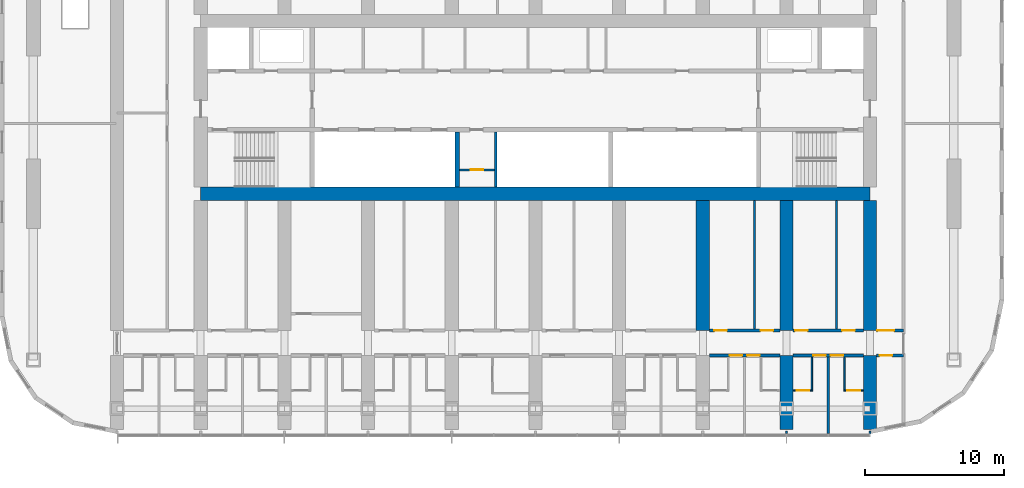
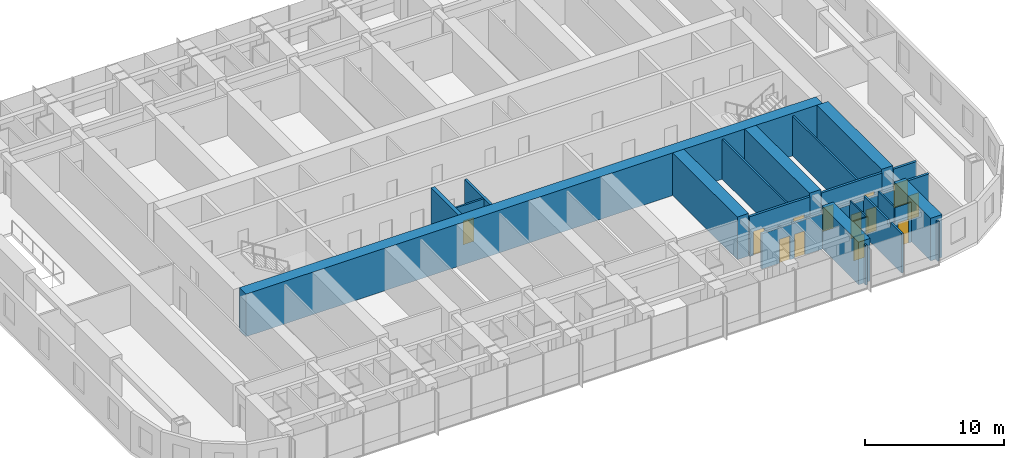
# One storey, part 11 of 21: 24 walls, 13 doors, 13 openings.
"""IFC4 building model written with IfcOpenShell, lengths in metres."""

from ifc_helpers import new_model, si_unit, direction, frame, frame_2d, origin, place, context, subcontext, project, spatial, polyline, rectangle, outline, extrude, material, layer, layer_set, type_object, element, fill, save


model = new_model("IFC4")

# Units and contexts
model_context = context("Model", 3, precision=1e-05, world=origin(), true_north=direction((0.0, 1.0)))
body_context = subcontext(model_context, "Body", "Model", "MODEL_VIEW")
ifc_project = project(units=[si_unit("LENGTHUNIT", "METRE"), si_unit("AREAUNIT", "SQUARE_METRE"), si_unit("VOLUMEUNIT", "CUBIC_METRE"), si_unit("PLANEANGLEUNIT", "RADIAN"), si_unit("MASSUNIT", "GRAM", prefix="KILO")], contexts=[model_context])

# Site, building, storey
site_placement = place(None, origin())
site = spatial("IfcSite", under=ifc_project, at=site_placement, CompositionType="ELEMENT")
building_placement = place(site_placement, origin())
building = spatial("IfcBuilding", under=site, at=building_placement, Name="Orbita Commons", CompositionType="ELEMENT")
storey_placement = place(building_placement, frame((0.0, 0.0, 88.14990234375)))
storey = spatial("IfcBuildingStorey", under=building, at=storey_placement, Name="L21", CompositionType="ELEMENT", Elevation=88.14990234375)

# Wall
ifc_material_1 = material(Name="Concrete C50/60", Category="concrete")
ifc_layer_1 = layer(ifc_material_1, 0.300048828125)
ifc_layer_set_1 = layer_set([ifc_layer_1], Name="Concrete C50/60")
wall_type_1 = type_object("IfcWallType", Name="Core inner wall 300 C50/60", PredefinedType="SHEAR", material=ifc_layer_set_1)
wall_1_placement = place(storey_placement, frame((36.39990234375, 26.27490234375, 0.0), z_axis=(0.0, 0.0, 1.0), x_axis=(0.0, 1.0, 0.0)))
element("IfcWall", 1, at=wall_1_placement, inside=storey, type_object=wall_type_1, Name="Hoistway division wall L21", PredefinedType="SHEAR", context=body_context, shape_type="SweptSolid", body=[
    extrude(rectangle(XDim=3.97509765625, YDim=0.300048828125, at=frame_2d((1.987548828125, 0.0))), origin(), (0.0, 0.0, 1.0), 3.75),
])

# Wall, opening, door
ifc_material_2 = material(Name="Concrete blockwork", Category="masonry")
ifc_layer_2 = layer(ifc_material_2, 0.14990234375)
ifc_layer_set_2 = layer_set([ifc_layer_2], Name="Concrete blockwork")
wall_type_2 = type_object("IfcWallType", Name="Core partition 150 blockwork", PredefinedType="SOLIDWALL", material=ifc_layer_set_2)
wall_2_placement = place(storey_placement, frame((36.550048828125, 27.52490234375, 0.0), z_axis=(0.0, 0.0, 1.0), x_axis=(1.0, 0.0, 0.0)))
wall_2 = element("IfcWall", 2, at=wall_2_placement, inside=storey, type_object=wall_type_2, Name="Core partition 150 blockwork L21", PredefinedType="SOLIDWALL", context=body_context, shape_type="SweptSolid", body=[
    extrude(rectangle(XDim=2.5, YDim=0.14990234375, at=frame_2d((1.25, 0.0))), origin(), (0.0, 0.0, 1.0), 3.5),
])
opening_1_placement = place(wall_2_placement, frame((0.800048828125, 0.0, 0.0)))
opening_1 = element("IfcOpeningElement", 3, at=opening_1_placement, cuts=wall_2, Name="Opening D05", PredefinedType="OPENING", context=body_context, shape_type="SweptSolid", body=[
    extrude(rectangle(XDim=0.89990234375, YDim=2.10009765625, at=frame_2d((0.449951171875, 1.050048828125))), frame((0.0, 0.0849609375, 0.0), z_axis=(0.0, -1.0, 0.0), x_axis=(1.0, 0.0, 0.0)), (0.0, 0.0, 1.0), 0.169921875),
])
ifc_material_3 = material(Name="Steel-faced fire door leaf", Category="steel")
door_type_1 = type_object("IfcDoorType", Name="Service door 20 min 900x2100", OperationType="SINGLE_SWING_LEFT", PredefinedType="DOOR", material=ifc_material_3)
door_1_placement = place(opening_1_placement, origin())
door_1 = element("IfcDoor", 4, at=door_1_placement, inside=storey, type_object=door_type_1, Name="Cupboard door off Linen store", OperationType="SINGLE_SWING_LEFT", OverallHeight=2.10009765625, OverallWidth=0.89990234375, PredefinedType="DOOR", context=body_context, shape_type="SweptSolid", body=[
    extrude(rectangle(XDim=0.89990234375, YDim=2.10009765625, at=frame_2d((0.449951171875, 1.050048828125))), frame((0.0, 0.02490234375, 0.0), z_axis=(0.0, -1.0, 0.0), x_axis=(1.0, 0.0, 0.0)), (0.0, 0.0, 1.0), 0.050048828125),
])
fill(opening_1, door_1)

# Wall
ifc_material_4 = material(Name="Concrete C50/60", Category="concrete")
ifc_layer_3 = layer(ifc_material_4, 0.949951171875)
ifc_layer_set_3 = layer_set([ifc_layer_3], Name="Concrete C50/60")
wall_type_3 = type_object("IfcWallType", Name="Core wall 950 C50/60", PredefinedType="SHEAR", material=ifc_layer_set_3)
wall_3_placement = place(storey_placement, frame((18.0, 25.800048828125, 0.0), z_axis=(0.0, 0.0, 1.0), x_axis=(1.0, 0.0, 0.0)))
element("IfcWall", 5, at=wall_3_placement, inside=storey, type_object=wall_type_3, Name="Core spine wall south L21", PredefinedType="SHEAR", context=body_context, shape_type="SweptSolid", body=[
    extrude(rectangle(XDim=48.0, YDim=0.949951171875, at=frame_2d((24.0, 0.0))), origin(), (0.0, 0.0, 1.0), 3.75),
])

# Wall, openings, doors
ifc_material_5 = material(Name="Concrete blockwork", Category="masonry")
ifc_layer_4 = layer(ifc_material_5, 0.199951171875)
ifc_layer_set_4 = layer_set([ifc_layer_4], Name="Concrete blockwork")
wall_type_4 = type_object("IfcWallType", Name="Corridor wall 200 blockwork", PredefinedType="SOLIDWALL", material=ifc_layer_set_4)
wall_4_placement = place(storey_placement, frame((54.47509765625, 14.199951171875, 0.0), z_axis=(0.0, 0.0, 1.0), x_axis=(1.0, 0.0, 0.0)))
wall_4 = element("IfcWall", 6, at=wall_4_placement, inside=storey, type_object=wall_type_4, Name="Corridor wall 200 blockwork L21", PredefinedType="SOLIDWALL", context=body_context, shape_type="SweptSolid", body=[
    extrude(outline(polyline([(0.0, 0.0), (5.0498046875, 0.0), (5.050048828125, 3.10009765625), (0.0, 3.10009765625), (0.0, 0.0)])), frame((0.0, 0.10009765625, 0.0), z_axis=(0.0, -1.0, 0.0), x_axis=(1.0, 0.0, 0.0)), (0.0, 0.0, 1.0), 0.199951171875),
])
opening_2_placement = place(wall_4_placement, frame((1.449951171875, 0.0, 0.0)))
opening_2 = element("IfcOpeningElement", 7, at=opening_2_placement, cuts=wall_4, Name="Opening D11", PredefinedType="OPENING", context=body_context, shape_type="SweptSolid", body=[
    extrude(rectangle(XDim=0.89990234375, YDim=2.10009765625, at=frame_2d((0.449951171875, 1.050048828125))), frame((0.0, 0.10986328125, 0.0), z_axis=(0.0, -1.0, 0.0), x_axis=(1.0, 0.0, 0.0)), (0.0, 0.0, 1.0), 0.219970703125),
])
opening_3_placement = place(wall_4_placement, frame((2.699951171875, 0.0, 0.0)))
opening_3 = element("IfcOpeningElement", 8, at=opening_3_placement, cuts=wall_4, Name="Opening D11", PredefinedType="OPENING", context=body_context, shape_type="SweptSolid", body=[
    extrude(rectangle(XDim=0.89990234375, YDim=2.10009765625, at=frame_2d((0.449951171875, 1.050048828125))), frame((0.0, 0.10986328125, 0.0), z_axis=(0.0, -1.0, 0.0), x_axis=(1.0, 0.0, 0.0)), (0.0, 0.0, 1.0), 0.219970703125),
])
ifc_material_6 = material(Name="Steel-faced fire door leaf", Category="steel")
door_type_2 = type_object("IfcDoorType", Name="Corridor door 20 min 900x2100", OperationType="SINGLE_SWING_LEFT", PredefinedType="DOOR", material=ifc_material_6)
door_2_placement = place(opening_2_placement, origin())
door_2 = element("IfcDoor", 9, at=door_2_placement, inside=storey, type_object=door_type_2, Name="Cluster bedroom L21-S14 door", OperationType="SINGLE_SWING_LEFT", OverallHeight=2.10009765625, OverallWidth=0.89990234375, PredefinedType="DOOR", context=body_context, shape_type="SweptSolid", body=[
    extrude(rectangle(XDim=0.89990234375, YDim=2.10009765625, at=frame_2d((0.449951171875, 1.050048828125))), frame((0.0, 0.02490234375, 0.0), z_axis=(0.0, -1.0, 0.0), x_axis=(1.0, 0.0, 0.0)), (0.0, 0.0, 1.0), 0.050048828125),
])
fill(opening_2, door_2)
door_3_placement = place(opening_3_placement, origin())
door_3 = element("IfcDoor", 10, at=door_3_placement, inside=storey, type_object=door_type_2, Name="Cluster bedroom L21-S15 door", OperationType="SINGLE_SWING_LEFT", OverallHeight=2.10009765625, OverallWidth=0.89990234375, PredefinedType="DOOR", context=body_context, shape_type="SweptSolid", body=[
    extrude(rectangle(XDim=0.89990234375, YDim=2.10009765625, at=frame_2d((0.449951171875, 1.050048828125))), frame((0.0, 0.02490234375, 0.0), z_axis=(0.0, -1.0, 0.0), x_axis=(1.0, 0.0, 0.0)), (0.0, 0.0, 1.0), 0.050048828125),
])
fill(opening_3, door_3)

wall_5_placement = place(storey_placement, frame((60.47509765625, 14.199951171875, 0.0), z_axis=(0.0, 0.0, 1.0), x_axis=(1.0, 0.0, 0.0)))
wall_5 = element("IfcWall", 11, at=wall_5_placement, inside=storey, type_object=wall_type_4, Name="Corridor wall 200 blockwork L21", PredefinedType="SOLIDWALL", context=body_context, shape_type="SweptSolid", body=[
    extrude(outline(polyline([(0.0, 0.0), (5.0498046875, 0.0), (5.050048828125, 3.10009765625), (0.0, 3.10009765625), (0.0, 0.0)])), frame((0.0, 0.10009765625, 0.0), z_axis=(0.0, -1.0, 0.0), x_axis=(1.0, 0.0, 0.0)), (0.0, 0.0, 1.0), 0.199951171875),
])
opening_4_placement = place(wall_5_placement, frame((1.449951171875, 0.0, 0.0)))
opening_4 = element("IfcOpeningElement", 12, at=opening_4_placement, cuts=wall_5, Name="Opening D11", PredefinedType="OPENING", context=body_context, shape_type="SweptSolid", body=[
    extrude(rectangle(XDim=0.89990234375, YDim=2.10009765625, at=frame_2d((0.449951171875, 1.050048828125))), frame((0.0, 0.10986328125, 0.0), z_axis=(0.0, -1.0, 0.0), x_axis=(1.0, 0.0, 0.0)), (0.0, 0.0, 1.0), 0.219970703125),
])
opening_5_placement = place(wall_5_placement, frame((2.699951171875, 0.0, 0.0)))
opening_5 = element("IfcOpeningElement", 13, at=opening_5_placement, cuts=wall_5, Name="Opening D11", PredefinedType="OPENING", context=body_context, shape_type="SweptSolid", body=[
    extrude(rectangle(XDim=0.89990234375, YDim=2.10009765625, at=frame_2d((0.449951171875, 1.050048828125))), frame((0.0, 0.10986328125, 0.0), z_axis=(0.0, -1.0, 0.0), x_axis=(1.0, 0.0, 0.0)), (0.0, 0.0, 1.0), 0.219970703125),
])
door_4_placement = place(opening_4_placement, origin())
door_4 = element("IfcDoor", 14, at=door_4_placement, inside=storey, type_object=door_type_2, Name="Cluster bedroom L21-S16 door", OperationType="SINGLE_SWING_LEFT", OverallHeight=2.10009765625, OverallWidth=0.89990234375, PredefinedType="DOOR", context=body_context, shape_type="SweptSolid", body=[
    extrude(rectangle(XDim=0.89990234375, YDim=2.10009765625, at=frame_2d((0.449951171875, 1.050048828125))), frame((0.0, 0.02490234375, 0.0), z_axis=(0.0, -1.0, 0.0), x_axis=(1.0, 0.0, 0.0)), (0.0, 0.0, 1.0), 0.050048828125),
])
fill(opening_4, door_4)
door_5_placement = place(opening_5_placement, origin())
door_5 = element("IfcDoor", 15, at=door_5_placement, inside=storey, type_object=door_type_2, Name="Cluster bedroom L21-S17 door", OperationType="SINGLE_SWING_LEFT", OverallHeight=2.10009765625, OverallWidth=0.89990234375, PredefinedType="DOOR", context=body_context, shape_type="SweptSolid", body=[
    extrude(rectangle(XDim=0.89990234375, YDim=2.10009765625, at=frame_2d((0.449951171875, 1.050048828125))), frame((0.0, 0.02490234375, 0.0), z_axis=(0.0, -1.0, 0.0), x_axis=(1.0, 0.0, 0.0)), (0.0, 0.0, 1.0), 0.050048828125),
])
fill(opening_5, door_5)

# Wall, opening, door
wall_6_placement = place(storey_placement, frame((66.47509765625, 14.199951171875, 0.0), z_axis=(0.0, 0.0, 1.0), x_axis=(1.0, 0.0, 0.0)))
wall_6 = element("IfcWall", 16, at=wall_6_placement, inside=storey, type_object=wall_type_4, Name="Corridor wall 200 blockwork L21", PredefinedType="SOLIDWALL", context=body_context, shape_type="SweptSolid", body=[
    extrude(rectangle(XDim=1.9248046875, YDim=0.199951171875, at=frame_2d((0.96240234375, 0.0))), origin(), (0.0, 0.0, 1.0), 3.5),
])
opening_6_placement = place(wall_6_placement, frame((0.199951171875, 0.0, 0.0)))
opening_6 = element("IfcOpeningElement", 17, at=opening_6_placement, cuts=wall_6, Name="Opening D05", PredefinedType="OPENING", context=body_context, shape_type="SweptSolid", body=[
    extrude(rectangle(XDim=0.89990234375, YDim=2.10009765625, at=frame_2d((0.449951171875, 1.050048828125))), frame((0.0, 0.10986328125, 0.0), z_axis=(0.0, -1.0, 0.0), x_axis=(1.0, 0.0, 0.0)), (0.0, 0.0, 1.0), 0.219970703125),
])
door_6_placement = place(opening_6_placement, origin())
door_6 = element("IfcDoor", 18, at=door_6_placement, inside=storey, type_object=door_type_1, Name="Linen store L21-KES door", OperationType="SINGLE_SWING_LEFT", OverallHeight=2.10009765625, OverallWidth=0.89990234375, PredefinedType="DOOR", context=body_context, shape_type="SweptSolid", body=[
    extrude(rectangle(XDim=0.89990234375, YDim=2.10009765625, at=frame_2d((0.449951171875, 1.050048828125))), frame((0.0, 0.02490234375, 0.0), z_axis=(0.0, -1.0, 0.0), x_axis=(1.0, 0.0, 0.0)), (0.0, 0.0, 1.0), 0.050048828125),
])
fill(opening_6, door_6)

# Wall, openings, doors
ifc_material_7 = material(Name="Hollow concrete block 200", Category="concrete")
ifc_layer_5 = layer(ifc_material_7, 0.199951171875)
ifc_layer_set_5 = layer_set([ifc_layer_5], Name="Hollow concrete block 200")
wall_type_5 = type_object("IfcWallType", Name="Corridor wall 200 hollow concrete block", PredefinedType="SOLIDWALL", material=ifc_layer_set_5)
wall_7_placement = place(storey_placement, frame((54.47509765625, 16.0, 0.0), z_axis=(0.0, 0.0, 1.0), x_axis=(1.0, 0.0, 0.0)))
wall_7 = element("IfcWall", 19, at=wall_7_placement, inside=storey, type_object=wall_type_5, Name="Corridor wall 200 hollow concrete block L21", PredefinedType="SOLIDWALL", context=body_context, shape_type="SweptSolid", body=[
    extrude(rectangle(XDim=5.0498046875, YDim=0.199951171875, at=frame_2d((2.52490234375, 0.0))), origin(), (0.0, 0.0, 1.0), 3.5),
])
opening_7_placement = place(wall_7_placement, frame((0.35009765625, 0.0, 0.0)))
opening_7 = element("IfcOpeningElement", 20, at=opening_7_placement, cuts=wall_7, Name="Opening D11", PredefinedType="OPENING", context=body_context, shape_type="SweptSolid", body=[
    extrude(rectangle(XDim=0.89990234375, YDim=2.10009765625, at=frame_2d((0.449951171875, 1.050048828125))), frame((0.0, 0.10986328125, 0.0), z_axis=(0.0, -1.0, 0.0), x_axis=(1.0, 0.0, 0.0)), (0.0, 0.0, 1.0), 0.219970703125),
])
opening_8_placement = place(wall_7_placement, frame((3.6650390625, 0.0, 0.0)))
opening_8 = element("IfcOpeningElement", 21, at=opening_8_placement, cuts=wall_7, Name="Opening D11", PredefinedType="OPENING", context=body_context, shape_type="SweptSolid", body=[
    extrude(rectangle(XDim=0.89990234375, YDim=2.10009765625, at=frame_2d((0.449951171875, 1.050048828125))), frame((0.0, 0.10986328125, 0.0), z_axis=(0.0, -1.0, 0.0), x_axis=(1.0, 0.0, 0.0)), (0.0, 0.0, 1.0), 0.219970703125),
])
door_7_placement = place(opening_7_placement, origin())
door_7 = element("IfcDoor", 22, at=door_7_placement, inside=storey, type_object=door_type_2, Name="Drying room L21-BDS54 door", OperationType="SINGLE_SWING_LEFT", OverallHeight=2.10009765625, OverallWidth=0.89990234375, PredefinedType="DOOR", context=body_context, shape_type="SweptSolid", body=[
    extrude(rectangle(XDim=0.89990234375, YDim=2.10009765625, at=frame_2d((0.449951171875, 1.050048828125))), frame((0.0, 0.02490234375, 0.0), z_axis=(0.0, -1.0, 0.0), x_axis=(1.0, 0.0, 0.0)), (0.0, 0.0, 1.0), 0.050048828125),
])
fill(opening_7, door_7)
door_8_placement = place(opening_8_placement, origin())
door_8 = element("IfcDoor", 23, at=door_8_placement, inside=storey, type_object=door_type_2, Name="Water heater cupboard L21-BDS54n door", OperationType="SINGLE_SWING_LEFT", OverallHeight=2.10009765625, OverallWidth=0.89990234375, PredefinedType="DOOR", context=body_context, shape_type="SweptSolid", body=[
    extrude(rectangle(XDim=0.89990234375, YDim=2.10009765625, at=frame_2d((0.449951171875, 1.050048828125))), frame((0.0, 0.02490234375, 0.0), z_axis=(0.0, -1.0, 0.0), x_axis=(1.0, 0.0, 0.0)), (0.0, 0.0, 1.0), 0.050048828125),
])
fill(opening_8, door_8)

wall_8_placement = place(storey_placement, frame((60.47509765625, 16.0, 0.0), z_axis=(0.0, 0.0, 1.0), x_axis=(1.0, 0.0, 0.0)))
wall_8 = element("IfcWall", 24, at=wall_8_placement, inside=storey, type_object=wall_type_5, Name="Corridor wall 200 hollow concrete block L21", PredefinedType="SOLIDWALL", context=body_context, shape_type="SweptSolid", body=[
    extrude(rectangle(XDim=5.0498046875, YDim=0.199951171875, at=frame_2d((2.52490234375, 0.0))), origin(), (0.0, 0.0, 1.0), 3.5),
])
opening_9_placement = place(wall_8_placement, frame((0.14990234375, 0.0, 0.0)))
opening_9 = element("IfcOpeningElement", 25, at=opening_9_placement, cuts=wall_8, Name="Opening D11", PredefinedType="OPENING", context=body_context, shape_type="SweptSolid", body=[
    extrude(rectangle(XDim=0.89990234375, YDim=2.10009765625, at=frame_2d((0.449951171875, 1.050048828125))), frame((0.0, 0.10986328125, 0.0), z_axis=(0.0, -1.0, 0.0), x_axis=(1.0, 0.0, 0.0)), (0.0, 0.0, 1.0), 0.219970703125),
])
opening_10_placement = place(wall_8_placement, frame((3.52490234375, 0.0, 0.0)))
opening_10 = element("IfcOpeningElement", 26, at=opening_10_placement, cuts=wall_8, Name="Opening D11", PredefinedType="OPENING", context=body_context, shape_type="SweptSolid", body=[
    extrude(rectangle(XDim=0.89990234375, YDim=2.10009765625, at=frame_2d((0.449951171875, 1.050048828125))), frame((0.0, 0.10986328125, 0.0), z_axis=(0.0, -1.0, 0.0), x_axis=(1.0, 0.0, 0.0)), (0.0, 0.0, 1.0), 0.219970703125),
])
door_9_placement = place(opening_9_placement, origin())
door_9 = element("IfcDoor", 27, at=door_9_placement, inside=storey, type_object=door_type_2, Name="IT and print room L21-BDS60 door", OperationType="SINGLE_SWING_LEFT", OverallHeight=2.10009765625, OverallWidth=0.89990234375, PredefinedType="DOOR", context=body_context, shape_type="SweptSolid", body=[
    extrude(rectangle(XDim=0.89990234375, YDim=2.10009765625, at=frame_2d((0.449951171875, 1.050048828125))), frame((0.0, 0.02490234375, 0.0), z_axis=(0.0, -1.0, 0.0), x_axis=(1.0, 0.0, 0.0)), (0.0, 0.0, 1.0), 0.050048828125),
])
fill(opening_9, door_9)
door_10_placement = place(opening_10_placement, origin())
door_10 = element("IfcDoor", 28, at=door_10_placement, inside=storey, type_object=door_type_2, Name="Equipment store L21-BDS60n door", OperationType="SINGLE_SWING_LEFT", OverallHeight=2.10009765625, OverallWidth=0.89990234375, PredefinedType="DOOR", context=body_context, shape_type="SweptSolid", body=[
    extrude(rectangle(XDim=0.89990234375, YDim=2.10009765625, at=frame_2d((0.449951171875, 1.050048828125))), frame((0.0, 0.02490234375, 0.0), z_axis=(0.0, -1.0, 0.0), x_axis=(1.0, 0.0, 0.0)), (0.0, 0.0, 1.0), 0.050048828125),
])
fill(opening_10, door_10)

# Wall, opening, door
wall_9_placement = place(storey_placement, frame((66.47509765625, 16.0, 0.0), z_axis=(0.0, 0.0, 1.0), x_axis=(1.0, 0.0, 0.0)))
wall_9 = element("IfcWall", 29, at=wall_9_placement, inside=storey, type_object=wall_type_5, Name="Corridor wall 200 hollow concrete block L21", PredefinedType="SOLIDWALL", context=body_context, shape_type="SweptSolid", body=[
    extrude(rectangle(XDim=1.9248046875, YDim=0.199951171875, at=frame_2d((0.96240234375, 0.0))), origin(), (0.0, 0.0, 1.0), 3.5),
])
opening_11_placement = place(wall_9_placement, frame((0.050048828125, 0.0, 0.0)))
opening_11 = element("IfcOpeningElement", 30, at=opening_11_placement, cuts=wall_9, Name="Opening D12", PredefinedType="OPENING", context=body_context, shape_type="SweptSolid", body=[
    extrude(rectangle(XDim=1.199951171875, YDim=2.10009765625, at=frame_2d((0.60009765625, 1.050048828125))), frame((0.0, 0.10986328125, 0.0), z_axis=(0.0, -1.0, 0.0), x_axis=(1.0, 0.0, 0.0)), (0.0, 0.0, 1.0), 0.219970703125),
])
ifc_material_8 = material(Name="Steel-faced fire door leaf", Category="steel")
door_type_3 = type_object("IfcDoorType", Name="Double corridor door 20 min 1200x2100", OperationType="DOUBLE_DOOR_SINGLE_SWING", PredefinedType="DOOR", material=ifc_material_8)
door_11_placement = place(opening_11_placement, origin())
door_11 = element("IfcDoor", 31, at=door_11_placement, inside=storey, type_object=door_type_3, Name="Cross corridor doors", OperationType="DOUBLE_DOOR_SINGLE_SWING", OverallHeight=2.10009765625, OverallWidth=1.199951171875, PredefinedType="DOOR", context=body_context, shape_type="SweptSolid", body=[
    extrude(rectangle(XDim=1.199951171875, YDim=2.10009765625, at=frame_2d((0.60009765625, 1.050048828125))), frame((0.0, 0.02490234375, 0.0), z_axis=(0.0, -1.0, 0.0), x_axis=(1.0, 0.0, 0.0)), (0.0, 0.0, 1.0), 0.050048828125),
])
fill(opening_11, door_11)

# Walls
ifc_material_9 = material(Name="Concrete C50/60", Category="concrete")
ifc_layer_6 = layer(ifc_material_9, 0.949951171875)
ifc_layer_set_6 = layer_set([ifc_layer_6], Name="Concrete C50/60")
wall_type_6 = type_object("IfcWallType", Name="Cross wall 950 C50/60", PredefinedType="SHEAR", material=ifc_layer_set_6)
wall_10_placement = place(storey_placement, frame((54.0, 16.0, 0.0), z_axis=(0.0, 0.0, 1.0), x_axis=(0.0, 1.0, 0.0)))
element("IfcWall", 32, at=wall_10_placement, inside=storey, type_object=wall_type_6, Name="Cross wall 10 south inner L21", PredefinedType="SHEAR", context=body_context, shape_type="SweptSolid", body=[
    extrude(rectangle(XDim=9.324951171875, YDim=0.949951171875, at=frame_2d((4.66259765625, 0.0))), origin(), (0.0, 0.0, 1.0), 3.75),
])
wall_11_placement = place(storey_placement, frame((60.0, 8.89990234375, 0.0), z_axis=(0.0, 0.0, 1.0), x_axis=(0.0, 1.0, 0.0)))
element("IfcWall", 33, at=wall_11_placement, inside=storey, type_object=wall_type_6, Name="Cross wall 11 south outer L21", PredefinedType="SHEAR", context=body_context, shape_type="SweptSolid", body=[
    extrude(rectangle(XDim=5.300048828125, YDim=0.949951171875, at=frame_2d((2.64990234375, 0.0))), origin(), (0.0, 0.0, 1.0), 3.75),
])
wall_12_placement = place(storey_placement, frame((60.0, 16.0, 0.0), z_axis=(0.0, 0.0, 1.0), x_axis=(0.0, 1.0, 0.0)))
element("IfcWall", 34, at=wall_12_placement, inside=storey, type_object=wall_type_6, Name="Cross wall 11 south inner L21", PredefinedType="SHEAR", context=body_context, shape_type="SweptSolid", body=[
    extrude(rectangle(XDim=9.324951171875, YDim=0.949951171875, at=frame_2d((4.66259765625, 0.0))), origin(), (0.0, 0.0, 1.0), 3.75),
])
wall_13_placement = place(storey_placement, frame((66.0, 8.89990234375, 0.0), z_axis=(0.0, 0.0, 1.0), x_axis=(0.0, 1.0, 0.0)))
element("IfcWall", 35, at=wall_13_placement, inside=storey, type_object=wall_type_6, Name="Cross wall 12 south outer L21", PredefinedType="SHEAR", context=body_context, shape_type="SweptSolid", body=[
    extrude(rectangle(XDim=5.300048828125, YDim=0.949951171875, at=frame_2d((2.64990234375, 0.0))), origin(), (0.0, 0.0, 1.0), 3.75),
])
wall_14_placement = place(storey_placement, frame((66.0, 16.0, 0.0), z_axis=(0.0, 0.0, 1.0), x_axis=(0.0, 1.0, 0.0)))
element("IfcWall", 36, at=wall_14_placement, inside=storey, type_object=wall_type_6, Name="Cross wall 12 south inner L21", PredefinedType="SHEAR", context=body_context, shape_type="SweptSolid", body=[
    extrude(rectangle(XDim=9.324951171875, YDim=0.949951171875, at=frame_2d((4.66259765625, 0.0))), origin(), (0.0, 0.0, 1.0), 3.75),
])

# Wall, opening, door
ifc_material_10 = material(Name="Moisture-resistant plasterboard on steel studs", Category="steel")
ifc_layer_7 = layer(ifc_material_10, 0.10009765625)
ifc_layer_set_7 = layer_set([ifc_layer_7], Name="Moisture-resistant plasterboard on steel studs")
wall_type_7 = type_object("IfcWallType", Name="En-suite partition 100", PredefinedType="PARTITIONING", material=ifc_layer_set_7)
wall_15_placement = place(storey_placement, frame((61.875, 11.699951171875, 0.0), z_axis=(0.0, 0.0, 1.0), x_axis=(-1.0, 0.0, 0.0)))
wall_15 = element("IfcWall", 37, at=wall_15_placement, inside=storey, type_object=wall_type_7, Name="En-suite partition 100 L21", PredefinedType="PARTITIONING", context=body_context, shape_type="SweptSolid", body=[
    extrude(rectangle(XDim=1.39990234375, YDim=0.10009765625, at=frame_2d((0.699951171875, 0.0))), origin(), (0.0, 0.0, 1.0), 3.5),
])
opening_12_placement = place(wall_15_placement, frame((0.25, 0.0, 0.0)))
opening_12 = element("IfcOpeningElement", 38, at=opening_12_placement, cuts=wall_15, Name="Opening D09", PredefinedType="OPENING", context=body_context, shape_type="SweptSolid", body=[
    extrude(rectangle(XDim=0.89990234375, YDim=2.10009765625, at=frame_2d((0.449951171875, 1.050048828125))), frame((0.0, 0.06005859375, 0.0), z_axis=(0.0, -1.0, 0.0), x_axis=(1.0, 0.0, 0.0)), (0.0, 0.0, 1.0), 0.1201171875),
])
ifc_material_11 = material(Name="Laminated timber door leaf", Category="wood")
door_type_4 = type_object("IfcDoorType", Name="En-suite door 900x2100", OperationType="SINGLE_SWING_RIGHT", PredefinedType="DOOR", material=ifc_material_11)
door_12_placement = place(opening_12_placement, origin())
door_12 = element("IfcDoor", 39, at=door_12_placement, inside=storey, type_object=door_type_4, Name="En-suite L21-S16 door", OperationType="SINGLE_SWING_RIGHT", OverallHeight=2.10009765625, OverallWidth=0.89990234375, PredefinedType="DOOR", context=body_context, shape_type="SweptSolid", body=[
    extrude(rectangle(XDim=0.89990234375, YDim=2.10009765625, at=frame_2d((0.449951171875, 1.050048828125))), frame((0.0, 0.02490234375, 0.0), z_axis=(0.0, -1.0, 0.0), x_axis=(1.0, 0.0, 0.0)), (0.0, 0.0, 1.0), 0.050048828125),
])
fill(opening_12, door_12)

# Wall
wall_16_placement = place(storey_placement, frame((61.824951171875, 11.75, 0.0), z_axis=(0.0, 0.0, 1.0), x_axis=(0.0, 1.0, 0.0)))
element("IfcWall", 40, at=wall_16_placement, inside=storey, type_object=wall_type_7, Name="En-suite partition 100 L21", PredefinedType="PARTITIONING", context=body_context, shape_type="SweptSolid", body=[
    extrude(outline(polyline([(0.0, 0.0), (2.35009765625, 0.0), (2.35009765625, 3.10009765625), (2.302001953125, 3.10009765625), (2.300048828125, 3.5), (0.0, 3.5), (0.0, 0.0)])), frame((0.0, 0.050048828125, 0.0), z_axis=(0.0, -1.0, 0.0), x_axis=(1.0, 0.0, 0.0)), (0.0, 0.0, 1.0), 0.10009765625),
])

# Wall, opening, door
wall_17_placement = place(storey_placement, frame((65.52490234375, 11.699951171875, 0.0), z_axis=(0.0, 0.0, 1.0), x_axis=(-1.0, 0.0, 0.0)))
wall_17 = element("IfcWall", 41, at=wall_17_placement, inside=storey, type_object=wall_type_7, Name="En-suite partition 100 L21", PredefinedType="PARTITIONING", context=body_context, shape_type="SweptSolid", body=[
    extrude(rectangle(XDim=1.39990234375, YDim=0.10009765625, at=frame_2d((0.699951171875, 0.0))), origin(), (0.0, 0.0, 1.0), 3.5),
])
opening_13_placement = place(wall_17_placement, frame((0.25, 0.0, 0.0)))
opening_13 = element("IfcOpeningElement", 42, at=opening_13_placement, cuts=wall_17, Name="Opening D09", PredefinedType="OPENING", context=body_context, shape_type="SweptSolid", body=[
    extrude(rectangle(XDim=0.89990234375, YDim=2.10009765625, at=frame_2d((0.449951171875, 1.050048828125))), frame((0.0, 0.06005859375, 0.0), z_axis=(0.0, -1.0, 0.0), x_axis=(1.0, 0.0, 0.0)), (0.0, 0.0, 1.0), 0.1201171875),
])
door_13_placement = place(opening_13_placement, origin())
door_13 = element("IfcDoor", 43, at=door_13_placement, inside=storey, type_object=door_type_4, Name="En-suite L21-S17 door", OperationType="SINGLE_SWING_RIGHT", OverallHeight=2.10009765625, OverallWidth=0.89990234375, PredefinedType="DOOR", context=body_context, shape_type="SweptSolid", body=[
    extrude(rectangle(XDim=0.89990234375, YDim=2.10009765625, at=frame_2d((0.449951171875, 1.050048828125))), frame((0.0, 0.02490234375, 0.0), z_axis=(0.0, -1.0, 0.0), x_axis=(1.0, 0.0, 0.0)), (0.0, 0.0, 1.0), 0.050048828125),
])
fill(opening_13, door_13)

# Walls
wall_18_placement = place(storey_placement, frame((64.175048828125, 11.75, 0.0), z_axis=(0.0, 0.0, 1.0), x_axis=(0.0, 1.0, 0.0)))
element("IfcWall", 44, at=wall_18_placement, inside=storey, type_object=wall_type_7, Name="En-suite partition 100 L21", PredefinedType="PARTITIONING", context=body_context, shape_type="SweptSolid", body=[
    extrude(outline(polyline([(0.0, 0.0), (2.35009765625, 0.0), (2.35009765625, 3.10009765625), (2.302001953125, 3.10009765625), (2.300048828125, 3.5), (0.0, 3.5), (0.0, 0.0)])), frame((0.0, 0.050048828125, 0.0), z_axis=(0.0, -1.0, 0.0), x_axis=(1.0, 0.0, 0.0)), (0.0, 0.0, 1.0), 0.10009765625),
])
ifc_material_12 = material(Name="Gypsum plasterboard on steel studs", Category="steel")
ifc_layer_8 = layer(ifc_material_12, 0.14990234375)
ifc_layer_set_8 = layer_set([ifc_layer_8], Name="Gypsum plasterboard on steel studs")
wall_type_8 = type_object("IfcWallType", Name="Partition 150 plasterboard", PredefinedType="PARTITIONING", material=ifc_layer_set_8)
for number, where, z_axis, x_axis, name in (
    (45, (57.715087890625, 16.10009765625, 0.0), (0.0, 0.0, 1.0), (0.0, 1.0, 0.0), "Partition 150 plasterboard L21"),
    (46, (63.574951171875, 16.10009765625, 0.0), (0.0, 0.0, 1.0), (0.0, 1.0, 0.0), "Partition 150 plasterboard L21"),
):
    element("IfcWall", number, at=place(storey_placement, frame(where, z_axis=z_axis, x_axis=x_axis)), inside=storey, type_object=wall_type_8, Name=name, PredefinedType="PARTITIONING", context=body_context, shape_type="SweptSolid", body=[
        extrude(rectangle(XDim=9.224853515625, YDim=0.14990234375, at=frame_2d((4.6123046875, 0.0))), origin(), (0.0, 0.0, 1.0), 3.5),
    ])
wall_19_placement = place(storey_placement, frame((60.0, 8.800048828125, 0.0), z_axis=(0.0, 0.0, 1.0), x_axis=(0.0, -1.0, 0.0)))
element("IfcWall", 47, at=wall_19_placement, inside=storey, type_object=wall_type_8, Name="Partition 150 plasterboard L21", PredefinedType="PARTITIONING", context=body_context, shape_type="SweptSolid", body=[
    extrude(rectangle(XDim=0.18994140625, YDim=0.14990234375, at=frame_2d((0.094970703125, 0.0))), origin(), (0.0, 0.0, 1.0), 3.5),
])
wall_20_placement = place(storey_placement, frame((66.0, 8.800048828125, 0.0), z_axis=(0.0, 0.0, 1.0), x_axis=(0.0, -1.0, 0.0)))
element("IfcWall", 48, at=wall_20_placement, inside=storey, type_object=wall_type_8, Name="Partition 150 plasterboard L21", PredefinedType="PARTITIONING", context=body_context, shape_type="SweptSolid", body=[
    extrude(rectangle(XDim=0.219970703125, YDim=0.14990234375, at=frame_2d((0.10986328125, 0.0))), origin(), (0.0, 0.0, 1.0), 3.5),
])
ifc_material_13 = material(Name="Gypsum plasterboard on steel studs", Category="steel")
ifc_layer_9 = layer(ifc_material_13, 0.14990234375)
ifc_layer_set_9 = layer_set([ifc_layer_9], Name="Gypsum plasterboard on steel studs")
wall_type_9 = type_object("IfcWallType", Name="Party wall 150 plasterboard", PredefinedType="PARTITIONING", material=ifc_layer_set_9)
wall_21_placement = place(storey_placement, frame((63.0, 8.610107421875, 0.0), z_axis=(0.0, 0.0, 1.0), x_axis=(0.0, 1.0, 0.0)))
element("IfcWall", 49, at=wall_21_placement, inside=storey, type_object=wall_type_9, Name="Party wall 150 plasterboard L21", PredefinedType="PARTITIONING", context=body_context, shape_type="SweptSolid", body=[
    extrude(outline(polyline([(0.0, 0.0), (5.489990234375, 0.0), (5.489990234375, 3.10009765625), (5.44189453125, 3.10009765625), (5.43994140625, 3.5), (1.991943359375, 3.5), (1.989990234375, 3.10009765625), (1.592041015625, 3.10009765625), (1.590087890625, 3.5), (0.0, 3.5), (0.0, 0.0)])), frame((0.0, 0.074951171875, 0.0), z_axis=(0.0, -1.0, 0.0), x_axis=(1.0, 0.0, 0.0)), (0.0, 0.0, 1.0), 0.14990234375),
])
ifc_material_14 = material(Name="Concrete blockwork, fully filled", Category="masonry")
ifc_layer_10 = layer(ifc_material_14, 0.199951171875)
ifc_layer_set_10 = layer_set([ifc_layer_10], Name="Concrete blockwork, fully filled")
wall_type_10 = type_object("IfcWallType", Name="Shaft partition 200 blockwork", PredefinedType="SOLIDWALL", material=ifc_layer_set_10)
wall_22_placement = place(storey_placement, frame((39.14990234375, 26.27490234375, 0.0), z_axis=(0.0, 0.0, 1.0), x_axis=(0.0, 1.0, 0.0)))
element("IfcWall", 50, at=wall_22_placement, inside=storey, type_object=wall_type_10, Name="Shaft partition 200 blockwork L21", PredefinedType="SOLIDWALL", context=body_context, shape_type="SweptSolid", body=[
    extrude(rectangle(XDim=3.97509765625, YDim=0.199951171875, at=frame_2d((1.987548828125, 0.0))), origin(), (0.0, 0.0, 1.0), 3.5),
])

save(model, "model.ifc")
